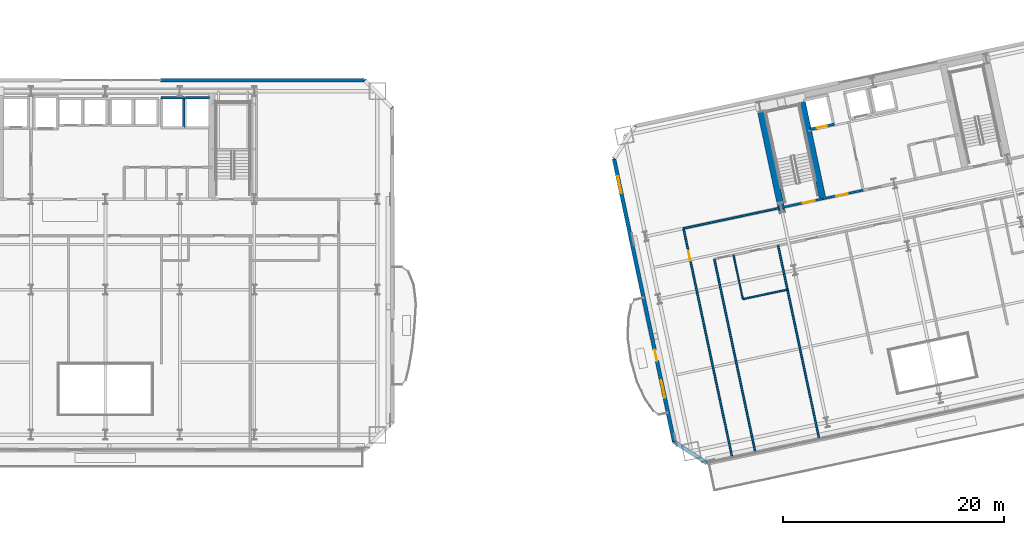
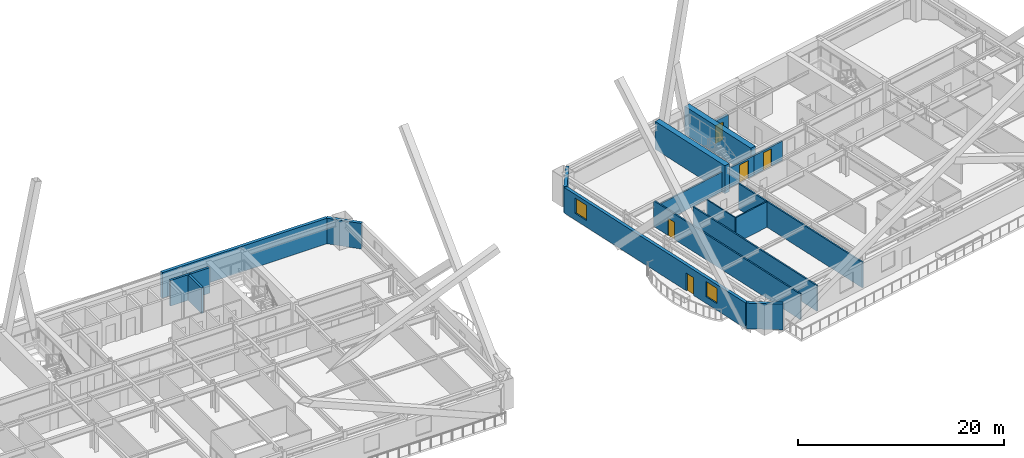
# One storey, part 13 of 25: 19 walls, 5 doors, 2 windows, 7 openings.
"""IFC4 building model written with IfcOpenShell, lengths in metres."""

from ifc_helpers import new_model, si_unit, direction, frame, frame_2d, origin, place, context, subcontext, project, spatial, rectangle, extrude, material, layer, layer_set, type_object, element, fill, save


model = new_model("IFC4")

# Units and contexts
model_context = context("Model", 3, precision=1e-05, world=origin(), true_north=direction((0.0, 1.0)))
body_context = subcontext(model_context, "Body", "Model", "MODEL_VIEW")
ifc_project = project(units=[si_unit("LENGTHUNIT", "METRE"), si_unit("AREAUNIT", "SQUARE_METRE"), si_unit("VOLUMEUNIT", "CUBIC_METRE"), si_unit("PLANEANGLEUNIT", "RADIAN"), si_unit("MASSUNIT", "GRAM", prefix="KILO")], contexts=[model_context])

# Site, building, storey
site_placement = place(None, origin())
site = spatial("IfcSite", under=ifc_project, at=site_placement, CompositionType="ELEMENT")
building_placement = place(site_placement, origin())
building = spatial("IfcBuilding", under=site, at=building_placement, Name="Haevon Station Towers", CompositionType="ELEMENT")
storey_placement = place(building_placement, frame((0.0, 0.0, 50.39990234375)))
storey = spatial("IfcBuildingStorey", under=building, at=storey_placement, Name="L12", CompositionType="ELEMENT", Elevation=50.39990234375)

# Wall, opening, door
ifc_material_1 = material(Name="Gypsum board on steel stud", Category="steel")
ifc_layer_1 = layer(ifc_material_1, 0.199951171875)
ifc_layer_set_1 = layer_set([ifc_layer_1], Name="Gypsum board on steel stud")
wall_type_1 = type_object("IfcWallType", Name="WL-COR200", PredefinedType="PARTITIONING", material=ifc_layer_set_1)
wall_1_placement = place(storey_placement, frame((98.75244140625, 37.4423828125, 0.0), z_axis=(0.0, 0.0, 1.0), x_axis=(0.978143537786, 0.207930804564, 0.0)))
wall_1 = element("IfcWall", 1, at=wall_1_placement, inside=storey, type_object=wall_type_1, Name="WL-ST-ST3-L12", PredefinedType="PARTITIONING", context=body_context, shape_type="SweptSolid", body=[
    extrude(rectangle(XDim=3.85009765625, YDim=0.199951171875, at=frame_2d((1.925048828125, 0.0))), origin(), (0.0, 0.0, 1.0), 2.330078125),
])
opening_1_placement = place(wall_1_placement, frame((2.0, 0.0, 0.0)))
opening_1 = element("IfcOpeningElement", 2, at=opening_1_placement, cuts=wall_1, Name="Opening DR-ST-ST3-L12", PredefinedType="OPENING", context=body_context, shape_type="SweptSolid", body=[
    extrude(rectangle(XDim=1.1201171875, YDim=2.10009765625, at=frame_2d((0.56005859375, 1.050048828125))), frame((0.0, 0.10986328125, 0.0), z_axis=(0.0, -1.0, 0.0), x_axis=(1.0, 0.0, 0.0)), (0.0, 0.0, 1.0), 0.219970703125),
])
ifc_material_2 = material(Name="Engineered oak timber", Category="wood")
door_type_1 = type_object("IfcDoorType", Name="DR-ST-1120", OperationType="NOTDEFINED", PredefinedType="DOOR", material=ifc_material_2)
door_1_placement = place(opening_1_placement, origin())
door_1 = element("IfcDoor", 3, at=door_1_placement, inside=storey, type_object=door_type_1, Name="L12 Escape Stair ST3 Fire Door", OperationType="SINGLE_SWING_LEFT", OverallHeight=2.10009765625, OverallWidth=1.1201171875, PredefinedType="DOOR", context=body_context, shape_type="SweptSolid", body=[
    extrude(rectangle(XDim=1.1201171875, YDim=2.10009765625, at=frame_2d((0.56005859375, 1.050048828125))), frame((0.0, 0.02490234375, 0.0), z_axis=(0.0, -1.0, 0.0), x_axis=(1.0, 0.0, 0.0)), (0.0, 0.0, 1.0), 0.050048828125),
])
fill(opening_1, door_1)

wall_2_placement = place(storey_placement, frame((102.518310546875, 38.242919921875, 0.0), z_axis=(0.0, 0.0, 1.0), x_axis=(0.978153555683, 0.20788367301, 0.0)))
wall_2 = element("IfcWall", 4, at=wall_2_placement, inside=storey, type_object=wall_type_1, Name="WL-T2FFL-L12-S", PredefinedType="PARTITIONING", context=body_context, shape_type="SweptSolid", body=[
    extrude(rectangle(XDim=3.75, YDim=0.199951171875, at=frame_2d((1.875, 0.0))), origin(), (0.0, 0.0, 1.0), 2.330078125),
])
opening_2_placement = place(wall_2_placement, frame((1.25, 0.0, 0.0)))
opening_2 = element("IfcOpeningElement", 5, at=opening_2_placement, cuts=wall_2, Name="Opening DR-T2FFL-L12-S", PredefinedType="OPENING", context=body_context, shape_type="SweptSolid", body=[
    extrude(rectangle(XDim=1.050048828125, YDim=2.10009765625, at=frame_2d((0.52490234375, 1.050048828125))), frame((0.0, 0.10986328125, 0.0), z_axis=(0.0, -1.0, 0.0), x_axis=(1.0, 0.0, 0.0)), (0.0, 0.0, 1.0), 0.219970703125),
])
door_type_2 = type_object("IfcDoorType", Name="DR-FD60-1050", OperationType="NOTDEFINED", PredefinedType="DOOR", material=ifc_material_2)
door_2_placement = place(opening_2_placement, origin())
door_2 = element("IfcDoor", 6, at=door_2_placement, inside=storey, type_object=door_type_2, Name="L12 Tower 2 Firefighting Lift Lobby Door S", OperationType="SINGLE_SWING_RIGHT", OverallHeight=2.10009765625, OverallWidth=1.050048828125, PredefinedType="DOOR", context=body_context, shape_type="SweptSolid", body=[
    extrude(rectangle(XDim=1.050048828125, YDim=2.10009765625, at=frame_2d((0.52490234375, 1.050048828125))), frame((0.0, 0.02490234375, 0.0), z_axis=(0.0, -1.0, 0.0), x_axis=(1.0, 0.0, 0.0)), (0.0, 0.0, 1.0), 0.050048828125),
])
fill(opening_2, door_2)

# Walls
ifc_material_3 = material(Name="Concrete C60/75", Category="concrete")
ifc_layer_2 = layer(ifc_material_3, 0.60009765625)
ifc_layer_set_2 = layer_set([ifc_layer_2], Name="Concrete C60/75")
wall_type_2 = type_object("IfcWallType", Name="WL-CR600", PredefinedType="SHEAR", material=ifc_layer_set_2)
wall_3_placement = place(storey_placement, frame((98.8603515625, 36.933837890625, 0.0), z_axis=(0.0, 0.0, 1.0), x_axis=(-0.20790924889, 0.978148119778, 0.0)))
element("IfcWall", 7, at=wall_3_placement, inside=storey, type_object=wall_type_2, Name="WL-T2CR-L12-W", PredefinedType="SHEAR", context=body_context, shape_type="SweptSolid", body=[
    extrude(rectangle(XDim=10.119873046875, YDim=0.60009765625, at=frame_2d((5.06005859375, 0.0))), origin(), (0.0, 0.0, 1.0), 3.300048828125),
])
wall_4_placement = place(storey_placement, frame((102.518310546875, 38.242919921875, 0.0), z_axis=(0.0, 0.0, 1.0), x_axis=(-0.207927495108, 0.978144241295, 0.0)))
element("IfcWall", 8, at=wall_4_placement, inside=storey, type_object=wall_type_2, Name="WL-T2CR-L12-M1", PredefinedType="SHEAR", context=body_context, shape_type="SweptSolid", body=[
    extrude(rectangle(XDim=9.599853515625, YDim=0.60009765625, at=frame_2d((4.7998046875, 0.0))), origin(), (0.0, 0.0, 1.0), 3.300048828125),
])
ifc_material_4 = material(Name="Precast concrete C45/55", Category="concrete")
ifc_layer_3 = layer(ifc_material_4, 0.340087890625)
ifc_layer_set_3 = layer_set([ifc_layer_3], Name="Precast concrete C45/55")
wall_type_3 = type_object("IfcWallType", Name="WL-EXT-PIER340", PredefinedType="SOLIDWALL", material=ifc_layer_set_3)
wall_5_placement = place(storey_placement, frame((42.5, 49.0, 0.0), z_axis=(0.0, 0.0, 1.0), x_axis=(1.0, 0.0, 0.0)))
element("IfcWall", 9, at=wall_5_placement, inside=storey, type_object=wall_type_3, Name="WL-T1-L12-N2", PredefinedType="SOLIDWALL", context=body_context, shape_type="SweptSolid", body=[
    extrude(rectangle(XDim=18.5, YDim=0.340087890625, at=frame_2d((9.25, 0.0))), origin(), (0.0, 0.0, 1.0), 3.030029296875),
])
wall_6_placement = place(storey_placement, frame((61.0, 49.0, 0.0), z_axis=(0.0, 0.0, 1.0), x_axis=(0.707106781187, -0.707106781187, 0.0)))
element("IfcWall", 10, at=wall_6_placement, inside=storey, type_object=wall_type_3, Name="WL-T1-L12-NEC", PredefinedType="SOLIDWALL", context=body_context, shape_type="SweptSolid", body=[
    extrude(rectangle(XDim=3.53564453125, YDim=0.340087890625, at=frame_2d((1.767822265625, 0.0))), origin(), (0.0, 0.0, 1.0), 3.030029296875),
])
wall_7_placement = place(storey_placement, frame((92.01953125, 14.28662109375, 0.0), z_axis=(0.0, 0.0, 1.0), x_axis=(-0.838672309694, 0.544636352948, 0.0)))
element("IfcWall", 11, at=wall_7_placement, inside=storey, type_object=wall_type_3, Name="WL-T2-L12-SWC", PredefinedType="SOLIDWALL", context=body_context, shape_type="SweptSolid", body=[
    extrude(rectangle(XDim=3.535400390625, YDim=0.340087890625, at=frame_2d((1.767578125, 0.0))), origin(), (0.0, 0.0, 1.0), 3.030029296875),
])

# Wall, openings, door, windows
wall_8_placement = place(storey_placement, frame((89.054443359375, 16.212158203125, 0.0), z_axis=(0.0, 0.0, 1.0), x_axis=(-0.207915485254, 0.978146794194, 0.0)))
wall_8 = element("IfcWall", 12, at=wall_8_placement, inside=storey, type_object=wall_type_3, Name="WL-T2-L12-W", PredefinedType="SOLIDWALL", context=body_context, shape_type="SweptSolid", body=[
    extrude(rectangle(XDim=26.25, YDim=0.340087890625, at=frame_2d((13.125, 0.0))), origin(), (0.0, 0.0, 1.0), 3.030029296875),
])
opening_3_placement = place(wall_8_placement, frame((7.5, 0.0, 0.0)))
opening_3 = element("IfcOpeningElement", 13, at=opening_3_placement, cuts=wall_8, Name="Opening DR-T2-SCAL-L12-W", PredefinedType="OPENING", context=body_context, shape_type="SweptSolid", body=[
    extrude(rectangle(XDim=1.050048828125, YDim=2.10009765625, at=frame_2d((0.52490234375, 1.050048828125))), frame((0.0, 0.179931640625, 0.0), z_axis=(0.0, -1.0, 0.0), x_axis=(1.0, 0.0, 0.0)), (0.0, 0.0, 1.0), 0.360107421875),
])
opening_4_placement = place(wall_8_placement, frame((4.093017578125, 0.0, 0.800048828125)))
opening_4 = element("IfcOpeningElement", 14, at=opening_4_placement, cuts=wall_8, Name="Opening WN-END160", PredefinedType="OPENING", context=body_context, shape_type="SweptSolid", body=[
    extrude(rectangle(XDim=1.60009765625, YDim=1.800048828125, at=frame_2d((0.800048828125, 0.89990234375))), frame((0.0, 0.179931640625, 0.0), z_axis=(0.0, -1.0, 0.0), x_axis=(1.0, 0.0, 0.0)), (0.0, 0.0, 1.0), 0.360107421875),
])
opening_5_placement = place(wall_8_placement, frame((23.02685546875, 0.0, 0.800048828125)))
opening_5 = element("IfcOpeningElement", 15, at=opening_5_placement, cuts=wall_8, Name="Opening WN-END160", PredefinedType="OPENING", context=body_context, shape_type="SweptSolid", body=[
    extrude(rectangle(XDim=1.60009765625, YDim=1.800048828125, at=frame_2d((0.800048828125, 0.89990234375))), frame((0.0, 0.179931640625, 0.0), z_axis=(0.0, -1.0, 0.0), x_axis=(1.0, 0.0, 0.0)), (0.0, 0.0, 1.0), 0.360107421875),
])
ifc_material_5 = material(Name="Thermally broken anodised aluminium and laminated safety glass", Category="aluminium")
door_type_3 = type_object("IfcDoorType", Name="DR-BALC-1050", OperationType="NOTDEFINED", PredefinedType="DOOR", material=ifc_material_5)
door_3_placement = place(opening_3_placement, origin())
door_3 = element("IfcDoor", 16, at=door_3_placement, inside=storey, type_object=door_type_3, Name="Tower 2 L12 West Scalloped Balcony Door", OperationType="SINGLE_SWING_RIGHT", OverallHeight=2.10009765625, OverallWidth=1.050048828125, PredefinedType="DOOR", context=body_context, shape_type="SweptSolid", body=[
    extrude(rectangle(XDim=1.050048828125, YDim=2.10009765625, at=frame_2d((0.52490234375, 1.050048828125))), frame((0.0, 0.02490234375, 0.0), z_axis=(0.0, -1.0, 0.0), x_axis=(1.0, 0.0, 0.0)), (0.0, 0.0, 1.0), 0.050048828125),
])
fill(opening_3, door_3)
ifc_material_6 = material(Name="Low-E triple glazing in thermally broken aluminium", Category="aluminium")
window_type = type_object("IfcWindowType", Name="WN-END160", PartitioningType="SINGLE_PANEL", PredefinedType="WINDOW", material=ifc_material_6)
window_1_placement = place(opening_4_placement, origin())
window_1 = element("IfcWindow", 17, at=window_1_placement, inside=storey, type_object=window_type, Name="WN-T2-L12-W01", OverallHeight=1.800048828125, OverallWidth=1.60009765625, PartitioningType="SINGLE_PANEL", PredefinedType="WINDOW", context=body_context, shape_type="SweptSolid", body=[
    extrude(rectangle(XDim=1.60009765625, YDim=1.800048828125, at=frame_2d((0.800048828125, 0.89990234375))), frame((0.0, 0.030029296875, 0.0), z_axis=(0.0, -1.0, 0.0), x_axis=(1.0, 0.0, 0.0)), (0.0, 0.0, 1.0), 0.06005859375),
])
fill(opening_4, window_1)
window_2_placement = place(opening_5_placement, origin())
window_2 = element("IfcWindow", 18, at=window_2_placement, inside=storey, type_object=window_type, Name="WN-T2-L12-W02", OverallHeight=1.800048828125, OverallWidth=1.60009765625, PartitioningType="SINGLE_PANEL", PredefinedType="WINDOW", context=body_context, shape_type="SweptSolid", body=[
    extrude(rectangle(XDim=1.60009765625, YDim=1.800048828125, at=frame_2d((0.800048828125, 0.89990234375))), frame((0.0, 0.030029296875, 0.0), z_axis=(0.0, -1.0, 0.0), x_axis=(1.0, 0.0, 0.0)), (0.0, 0.0, 1.0), 0.06005859375),
])
fill(opening_5, window_2)

# Walls
wall_9_placement = place(storey_placement, frame((83.5966796875, 41.888427734375, 0.0), z_axis=(0.0, 0.0, 1.0), x_axis=(0.544653380146, 0.838661251934, 0.0)))
element("IfcWall", 19, at=wall_9_placement, inside=storey, type_object=wall_type_3, Name="WL-T2-L12-NWC", PredefinedType="SOLIDWALL", context=body_context, shape_type="SweptSolid", body=[
    extrude(rectangle(XDim=3.535888671875, YDim=0.340087890625, at=frame_2d((1.76806640625, 0.0))), origin(), (0.0, 0.0, 1.0), 3.030029296875),
])
ifc_layer_4 = layer(ifc_material_1, 0.125)
ifc_layer_set_4 = layer_set([ifc_layer_4], Name="Gypsum board on steel stud")
wall_type_4 = type_object("IfcWallType", Name="WL-PRT125", PredefinedType="PARTITIONING", material=ifc_layer_set_4)
wall_10_placement = place(storey_placement, frame((95.27978515625, 29.15380859375, 0.0), z_axis=(0.0, 0.0, 1.0), x_axis=(-0.207904497916, 0.978149129605, 0.0)))
element("IfcWall", 20, at=wall_10_placement, inside=storey, type_object=wall_type_4, Name="WL-T2PT-L12-11", PredefinedType="PARTITIONING", context=body_context, shape_type="SweptSolid", body=[
    extrude(rectangle(XDim=4.08544921875, YDim=0.125, at=frame_2d((2.042724609375, 0.0))), origin(), (0.0, 0.0, 1.0), 3.030029296875),
])
ifc_layer_5 = layer(ifc_material_1, 0.139892578125)
ifc_layer_set_5 = layer_set([ifc_layer_5], Name="Gypsum board on steel stud")
wall_type_5 = type_object("IfcWallType", Name="WL-PRT140", PredefinedType="PARTITIONING", material=ifc_layer_set_5)
wall_11_placement = place(storey_placement, frame((95.27978515625, 29.15380859375, 0.0), z_axis=(0.0, 0.0, 1.0), x_axis=(0.978146085238, 0.207918820535, 0.0)))
element("IfcWall", 21, at=wall_11_placement, inside=storey, type_object=wall_type_5, Name="WL-T2PT-L12-10", PredefinedType="PARTITIONING", context=body_context, shape_type="SweptSolid", body=[
    extrude(rectangle(XDim=4.132080078125, YDim=0.139892578125, at=frame_2d((2.06591796875, 0.0))), origin(), (0.0, 0.0, 1.0), 3.030029296875),
])
ifc_layer_6 = layer(ifc_material_1, 0.159912109375)
ifc_layer_set_6 = layer_set([ifc_layer_6], Name="Gypsum board on steel stud")
wall_type_6 = type_object("IfcWallType", Name="WL-PRT160", PredefinedType="PARTITIONING", material=ifc_layer_set_6)
wall_12_placement = place(storey_placement, frame((96.421142578125, 15.22216796875, 0.0), z_axis=(0.0, 0.0, 1.0), x_axis=(-0.207906091967, 0.978148790789, 0.0)))
element("IfcWall", 22, at=wall_12_placement, inside=storey, type_object=wall_type_6, Name="WL-T2PT-L12-01", PredefinedType="PARTITIONING", context=body_context, shape_type="SweptSolid", body=[
    extrude(rectangle(XDim=17.9501953125, YDim=0.159912109375, at=frame_2d((8.97509765625, 0.0))), origin(), (0.0, 0.0, 1.0), 3.030029296875),
])
wall_13_placement = place(storey_placement, frame((89.900146484375, 35.560791015625, 0.0), z_axis=(0.0, 0.0, 1.0), x_axis=(0.978148085545, 0.207909409948, 0.0)))
element("IfcWall", 23, at=wall_13_placement, inside=storey, type_object=wall_type_6, Name="WL-T2PT-L12-02", PredefinedType="PARTITIONING", context=body_context, shape_type="SweptSolid", body=[
    extrude(rectangle(XDim=9.050048828125, YDim=0.159912109375, at=frame_2d((4.52490234375, 0.0))), origin(), (0.0, 0.0, 1.0), 2.330078125),
])

# Wall, opening, door
wall_14_placement = place(storey_placement, frame((94.318359375, 14.775146484375, 0.0), z_axis=(0.0, 0.0, 1.0), x_axis=(-0.207915642033, 0.978146760869, 0.0)))
wall_14 = element("IfcWall", 24, at=wall_14_placement, inside=storey, type_object=wall_type_6, Name="WL-T2PT-L12-04", PredefinedType="PARTITIONING", context=body_context, shape_type="SweptSolid", body=[
    extrude(rectangle(XDim=21.25, YDim=0.159912109375, at=frame_2d((10.625, 0.0))), origin(), (0.0, 0.0, 1.0), 3.030029296875),
])
opening_6_placement = place(wall_14_placement, frame((18.27001953125, 0.0, 0.0)))
opening_6 = element("IfcOpeningElement", 25, at=opening_6_placement, cuts=wall_14, Name="Opening DR-WL-T2PT-L12-04-01", PredefinedType="OPENING", context=body_context, shape_type="SweptSolid", body=[
    extrude(rectangle(XDim=0.89990234375, YDim=2.050048828125, at=frame_2d((0.449951171875, 1.02490234375))), frame((0.0, 0.08984375, 0.0), z_axis=(0.0, -1.0, 0.0), x_axis=(1.0, 0.0, 0.0)), (0.0, 0.0, 1.0), 0.179931640625),
])
door_type_4 = type_object("IfcDoorType", Name="DR-INT-900", OperationType="NOTDEFINED", PredefinedType="DOOR", material=ifc_material_2)
door_4_placement = place(opening_6_placement, origin())
door_4 = element("IfcDoor", 26, at=door_4_placement, inside=storey, type_object=door_type_4, Name="L12 Tower 2 Room Door 4-1", OperationType="SINGLE_SWING_LEFT", OverallHeight=2.050048828125, OverallWidth=0.89990234375, PredefinedType="DOOR", context=body_context, shape_type="SweptSolid", body=[
    extrude(rectangle(XDim=0.89990234375, YDim=2.050048828125, at=frame_2d((0.449951171875, 1.02490234375))), frame((0.0, 0.02490234375, 0.0), z_axis=(0.0, -1.0, 0.0), x_axis=(1.0, 0.0, 0.0)), (0.0, 0.0, 1.0), 0.050048828125),
])
fill(opening_6, door_4)

# Walls
wall_15_placement = place(storey_placement, frame((102.2041015625, 16.451416015625, 0.0), z_axis=(0.0, 0.0, 1.0), x_axis=(-0.207908857961, 0.978148202872, 0.0)))
element("IfcWall", 27, at=wall_15_placement, inside=storey, type_object=wall_type_6, Name="WL-T2PT-L12-12", PredefinedType="PARTITIONING", context=body_context, shape_type="SweptSolid", body=[
    extrude(rectangle(XDim=17.949951171875, YDim=0.159912109375, at=frame_2d((8.97509765625, 0.0))), origin(), (0.0, 0.0, 1.0), 3.030029296875),
])
ifc_material_7 = material(Name="Concrete C40/50", Category="concrete")
ifc_layer_7 = layer(ifc_material_7, 0.239990234375)
ifc_layer_set_7 = layer_set([ifc_layer_7], Name="Concrete C40/50")
wall_type_7 = type_object("IfcWallType", Name="WL-SHF240", PredefinedType="PARTITIONING", material=ifc_layer_set_7)
wall_16_placement = place(storey_placement, frame((42.52001953125, 47.39990234375, 0.0), z_axis=(0.0, 0.0, 1.0), x_axis=(1.0, 0.0, 0.0)))
element("IfcWall", 28, at=wall_16_placement, inside=storey, type_object=wall_type_7, Name="WL-SHF-PL5-L12-N", PredefinedType="PARTITIONING", context=body_context, shape_type="SweptSolid", body=[
    extrude(rectangle(XDim=2.159912109375, YDim=0.239990234375, at=frame_2d((1.080078125, 0.0))), origin(), (0.0, 0.0, 1.0), 3.030029296875),
])
wall_17_placement = place(storey_placement, frame((44.60009765625, 44.699951171875, 0.0), z_axis=(0.0, 0.0, 1.0), x_axis=(0.0, 1.0, 0.0)))
element("IfcWall", 29, at=wall_17_placement, inside=storey, type_object=wall_type_7, Name="WL-SHF-PL5-L12-E", PredefinedType="PARTITIONING", context=body_context, shape_type="SweptSolid", body=[
    extrude(rectangle(XDim=2.699951171875, YDim=0.239990234375, at=frame_2d((1.35009765625, 0.0))), origin(), (0.0, 0.0, 1.0), 3.030029296875),
])
wall_18_placement = place(storey_placement, frame((44.77001953125, 47.39990234375, 0.0), z_axis=(0.0, 0.0, 1.0), x_axis=(1.0, 0.0, 0.0)))
element("IfcWall", 30, at=wall_18_placement, inside=storey, type_object=wall_type_7, Name="WL-SHF-PL6-L12-N", PredefinedType="PARTITIONING", context=body_context, shape_type="SweptSolid", body=[
    extrude(rectangle(XDim=2.159912109375, YDim=0.239990234375, at=frame_2d((1.080078125, 0.0))), origin(), (0.0, 0.0, 1.0), 3.030029296875),
])

# Wall, opening, door
wall_19_placement = place(storey_placement, frame((101.353759765625, 44.538330078125, 0.0), z_axis=(0.0, 0.0, 1.0), x_axis=(0.978141002414, 0.207942731049, 0.0)))
wall_19 = element("IfcWall", 31, at=wall_19_placement, inside=storey, type_object=wall_type_7, Name="WL-SHF-FL2-L12", PredefinedType="PARTITIONING", context=body_context, shape_type="SweptSolid", body=[
    extrude(rectangle(XDim=2.260009765625, YDim=0.239990234375, at=frame_2d((1.1298828125, 0.0))), origin(), (0.0, 0.0, 1.0), 2.72998046875),
])
opening_7_placement = place(wall_19_placement, frame((0.655029296875, 0.0, 0.0)))
opening_7 = element("IfcOpeningElement", 32, at=opening_7_placement, cuts=wall_19, Name="Opening LD-FL2-L12", PredefinedType="OPENING", context=body_context, shape_type="SweptSolid", body=[
    extrude(rectangle(XDim=0.949951171875, YDim=2.14990234375, at=frame_2d((0.47509765625, 1.074951171875))), frame((0.0, 0.1298828125, 0.0), z_axis=(0.0, -1.0, 0.0), x_axis=(1.0, 0.0, 0.0)), (0.0, 0.0, 1.0), 0.260009765625),
])
ifc_material_8 = material(Name="Stainless steel and rated core", Category="steel")
door_type_5 = type_object("IfcDoorType", Name="LD-FL950", OperationType="SLIDING_TO_LEFT", PredefinedType="DOOR", material=ifc_material_8)
door_5_placement = place(opening_7_placement, origin())
door_5 = element("IfcDoor", 33, at=door_5_placement, inside=storey, type_object=door_type_5, Name="L12 Lift FL2 Sliding Landing Door", OperationType="SLIDING_TO_LEFT", OverallHeight=2.14990234375, OverallWidth=0.949951171875, PredefinedType="DOOR", context=body_context, shape_type="SweptSolid", body=[
    extrude(rectangle(XDim=0.949951171875, YDim=2.14990234375, at=frame_2d((0.47509765625, 1.074951171875))), frame((0.0, 0.02490234375, 0.0), z_axis=(0.0, -1.0, 0.0), x_axis=(1.0, 0.0, 0.0)), (0.0, 0.0, 1.0), 0.050048828125),
])
fill(opening_7, door_5)

save(model, "model.ifc")
